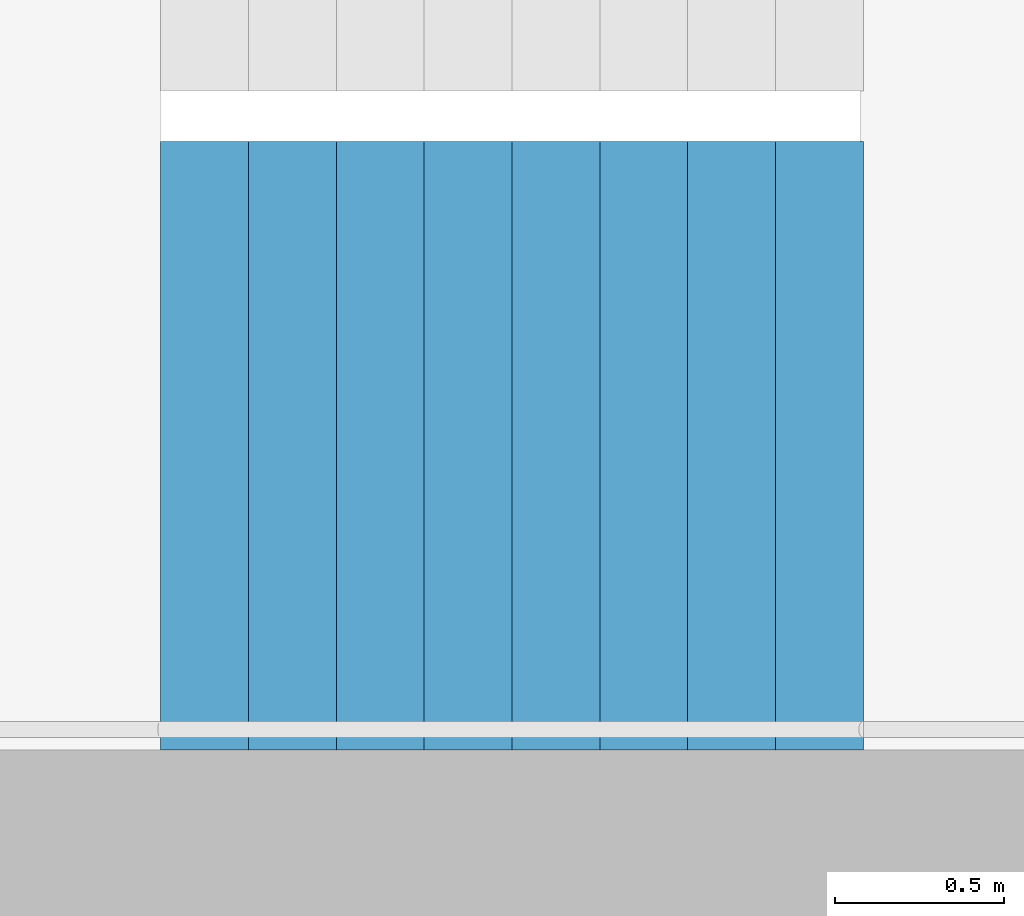
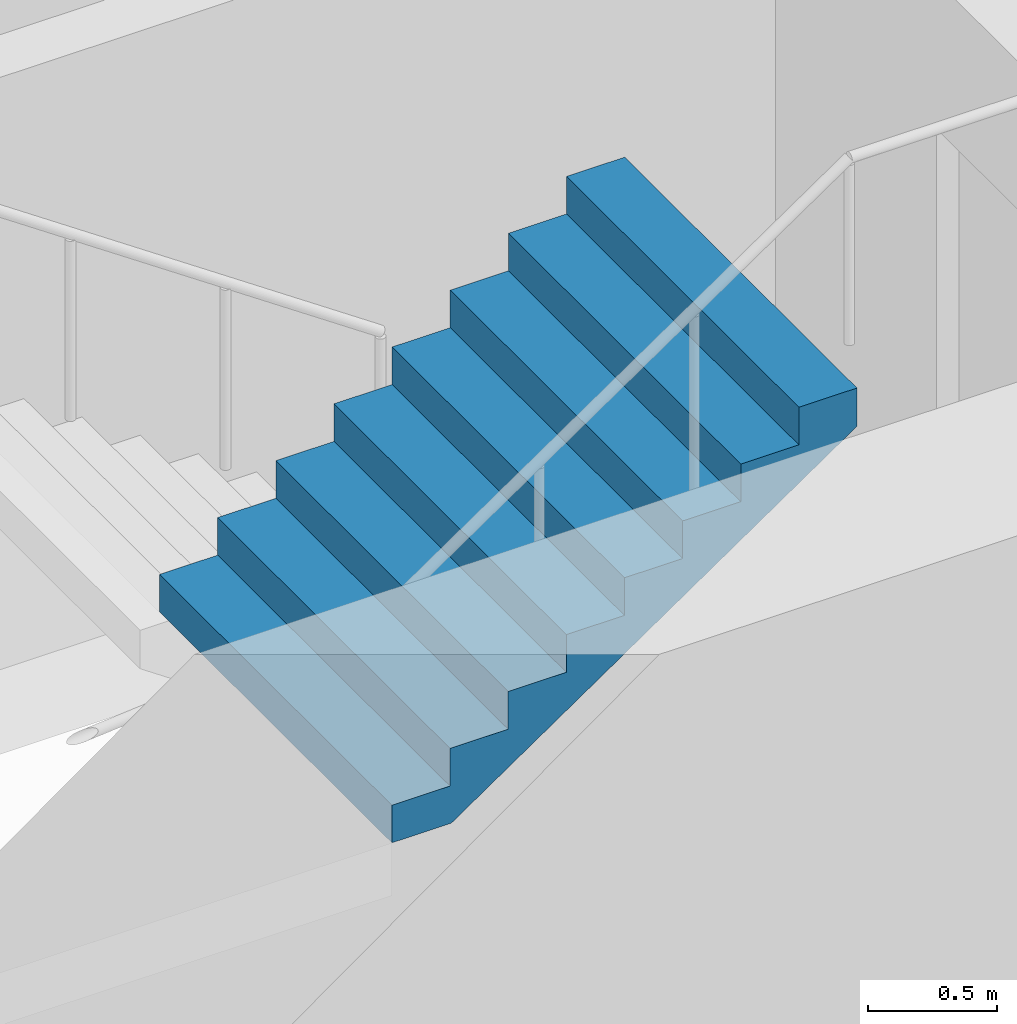
# One storey, part 20 of 34: 1 stair flight, 1 element without a shape of its own.
"""IFC4 building model written with IfcOpenShell, lengths in metres."""

from ifc_helpers import new_model, si_unit, direction, frame, origin, place, context, subcontext, project, spatial, triangles, material, type_object, element, aggregate, save


model = new_model("IFC4")

# Units and contexts
model_context = context("Model", 3, precision=1e-05, world=origin(), true_north=direction((0.0, 1.0)))
body_context = subcontext(model_context, "Body", "Model", "MODEL_VIEW")
ifc_project = project(units=[si_unit("LENGTHUNIT", "METRE"), si_unit("AREAUNIT", "SQUARE_METRE"), si_unit("VOLUMEUNIT", "CUBIC_METRE"), si_unit("PLANEANGLEUNIT", "RADIAN"), si_unit("MASSUNIT", "GRAM", prefix="KILO")], contexts=[model_context])

# Site, building, storey
site_placement = place(None, origin())
site = spatial("IfcSite", under=ifc_project, at=site_placement, CompositionType="ELEMENT")
building_placement = place(site_placement, origin())
building = spatial("IfcBuilding", under=site, at=building_placement, Name="Hakoniwa Tower and Hamabe Station Hall", CompositionType="ELEMENT")
storey_placement = place(building_placement, frame((0.0, 0.0, 94.60009765625)))
storey = spatial("IfcBuildingStorey", under=building, at=storey_placement, Name="L26", CompositionType="ELEMENT", Elevation=94.60009765625)

# Stair, stair flight
ifc_material_1 = material(Name="Concrete C40", Category="concrete")
stair_type = type_object("IfcStairType", Name="ESCAPE STAIR 1800", PredefinedType="HALF_TURN_STAIR", material=ifc_material_1)
stair_placement = place(storey_placement, origin())
stair = element("IfcStair", 1, at=stair_placement, inside=storey, type_object=stair_type, Name="Escape stair ST-2 L26", PredefinedType="HALF_TURN_STAIR")
ifc_material_2 = material(Name="Concrete C40", Category="concrete")
stair_flight_type = type_object("IfcStairFlightType", Name="STAIR FLIGHT 1800", PredefinedType="STRAIGHT", material=ifc_material_2)
stair_flight_placement = place(storey_placement, frame((-25.47998046875, -6.60009765625, 1.599853515625), z_axis=(0.0, 0.0, 1.0), x_axis=(1.0, 0.0, 0.0)))
stair_flight = element("IfcStairFlight", 2, at=stair_flight_placement, type_object=stair_flight_type, Name="ST-2 flight 2", NumberOfRisers=9, NumberOfTreads=8, PredefinedType="STRAIGHT", RiserHeight=0.177777778, TreadLength=0.26, context=body_context, shape_type="Tessellation", body=[
    triangles([(0.0, 0.89990234375, 0.0), (0.260009765625, 0.89990234375, 0.0), (0.265625, 0.89990234375, 0.0), (0.52001953125, 0.89990234375, 0.174072265625), (0.780029296875, 0.89990234375, 0.351806640625), (1.0400390625, 0.89990234375, 0.529541015625), (1.300048828125, 0.89990234375, 0.707275390625), (1.56005859375, 0.89990234375, 0.885009765625), (1.820068359375, 0.89990234375, 1.062744140625), (2.080078125, 0.89990234375, 1.24072265625), (2.080078125, 0.89990234375, 1.422119140625), (1.820068359375, 0.89990234375, 1.422119140625), (1.820068359375, 0.89990234375, 1.244384765625), (1.56005859375, 0.89990234375, 1.244384765625), (1.56005859375, 0.89990234375, 1.066650390625), (1.300048828125, 0.89990234375, 1.066650390625), (1.300048828125, 0.89990234375, 0.888916015625), (1.0400390625, 0.89990234375, 0.888916015625), (1.0400390625, 0.89990234375, 0.711181640625), (0.780029296875, 0.89990234375, 0.711181640625), (0.780029296875, 0.89990234375, 0.533447265625), (0.52001953125, 0.89990234375, 0.533447265625), (0.52001953125, 0.89990234375, 0.35546875), (0.265625, 0.89990234375, 0.35546875), (0.260009765625, 0.89990234375, 0.35546875), (0.260009765625, 0.89990234375, 0.177734375), (0.0, 0.89990234375, 0.177734375), (0.0, 0.06005859375, 0.0), (0.260009765625, 0.06005859375, 0.0), (0.265625, 0.06005859375, 0.0), (0.52001953125, 0.06005859375, 0.174072265625), (0.780029296875, 0.06005859375, 0.351806640625), (1.0400390625, 0.06005859375, 0.529541015625), (1.300048828125, 0.06005859375, 0.707275390625), (1.56005859375, 0.06005859375, 0.885009765625), (1.820068359375, 0.06005859375, 1.062744140625), (2.080078125, 0.06005859375, 1.24072265625), (2.080078125, 0.06005859375, 1.422119140625), (1.820068359375, 0.06005859375, 1.422119140625), (1.820068359375, 0.06005859375, 1.244384765625), (1.56005859375, 0.06005859375, 1.244384765625), (1.56005859375, 0.06005859375, 1.066650390625), (1.300048828125, 0.06005859375, 1.066650390625), (1.300048828125, 0.06005859375, 0.888916015625), (1.0400390625, 0.06005859375, 0.888916015625), (1.0400390625, 0.06005859375, 0.711181640625), (0.780029296875, 0.06005859375, 0.711181640625), (0.780029296875, 0.06005859375, 0.533447265625), (0.52001953125, 0.06005859375, 0.533447265625), (0.52001953125, 0.06005859375, 0.35546875), (0.265625, 0.06005859375, 0.35546875), (0.260009765625, 0.06005859375, 0.35546875), (0.260009765625, 0.06005859375, 0.177734375), (0.0, 0.06005859375, 0.177734375), (0.0, 0.04296875, 0.0), (0.260009765625, 0.04296875, 0.0), (0.265625, 0.04296875, 0.0), (0.52001953125, 0.04296875, 0.174072265625), (0.780029296875, 0.04296875, 0.351806640625), (1.0400390625, 0.04296875, 0.529541015625), (1.300048828125, 0.04296875, 0.707275390625), (1.56005859375, 0.04296875, 0.885009765625), (1.820068359375, 0.04296875, 1.062744140625), (2.080078125, 0.04296875, 1.24072265625), (2.080078125, 0.04296875, 1.422119140625), (1.820068359375, 0.04296875, 1.422119140625), (1.820068359375, 0.04296875, 1.244384765625), (1.56005859375, 0.04296875, 1.244384765625), (1.56005859375, 0.04296875, 1.066650390625), (1.300048828125, 0.04296875, 1.066650390625), (1.300048828125, 0.04296875, 0.888916015625), (1.0400390625, 0.04296875, 0.888916015625), (1.0400390625, 0.04296875, 0.711181640625), (0.780029296875, 0.04296875, 0.711181640625), (0.780029296875, 0.04296875, 0.533447265625), (0.52001953125, 0.04296875, 0.533447265625), (0.52001953125, 0.04296875, 0.35546875), (0.265625, 0.04296875, 0.35546875), (0.260009765625, 0.04296875, 0.35546875), (0.260009765625, 0.04296875, 0.177734375), (0.0, 0.04296875, 0.177734375), (0.0, 0.025634765625, 0.0), (0.260009765625, 0.025634765625, 0.0), (0.265625, 0.025634765625, 0.0), (0.52001953125, 0.025634765625, 0.174072265625), (0.780029296875, 0.025634765625, 0.351806640625), (1.0400390625, 0.025634765625, 0.529541015625), (1.300048828125, 0.025634765625, 0.707275390625), (1.56005859375, 0.025634765625, 0.885009765625), (1.820068359375, 0.025634765625, 1.062744140625), (2.080078125, 0.025634765625, 1.24072265625), (2.080078125, 0.025634765625, 1.422119140625), (1.820068359375, 0.025634765625, 1.422119140625), (1.820068359375, 0.025634765625, 1.244384765625), (1.56005859375, 0.025634765625, 1.244384765625), (1.56005859375, 0.025634765625, 1.066650390625), (1.300048828125, 0.025634765625, 1.066650390625), (1.300048828125, 0.025634765625, 0.888916015625), (1.0400390625, 0.025634765625, 0.888916015625), (1.0400390625, 0.025634765625, 0.711181640625), (0.780029296875, 0.025634765625, 0.711181640625), (0.780029296875, 0.025634765625, 0.533447265625), (0.52001953125, 0.025634765625, 0.533447265625), (0.52001953125, 0.025634765625, 0.35546875), (0.265625, 0.025634765625, 0.35546875), (0.260009765625, 0.025634765625, 0.35546875), (0.260009765625, 0.025634765625, 0.177734375), (0.0, 0.025634765625, 0.177734375), (0.0, 0.008544921875, 0.0), (0.260009765625, 0.008544921875, 0.0), (0.265625, 0.008544921875, 0.0), (0.52001953125, 0.008544921875, 0.174072265625), (0.780029296875, 0.008544921875, 0.351806640625), (1.0400390625, 0.008544921875, 0.529541015625), (1.300048828125, 0.008544921875, 0.707275390625), (1.56005859375, 0.008544921875, 0.885009765625), (1.820068359375, 0.008544921875, 1.062744140625), (2.080078125, 0.008544921875, 1.24072265625), (2.080078125, 0.008544921875, 1.422119140625), (1.820068359375, 0.008544921875, 1.422119140625), (1.820068359375, 0.008544921875, 1.244384765625), (1.56005859375, 0.008544921875, 1.244384765625), (1.56005859375, 0.008544921875, 1.066650390625), (1.300048828125, 0.008544921875, 1.066650390625), (1.300048828125, 0.008544921875, 0.888916015625), (1.0400390625, 0.008544921875, 0.888916015625), (1.0400390625, 0.008544921875, 0.711181640625), (0.780029296875, 0.008544921875, 0.711181640625), (0.780029296875, 0.008544921875, 0.533447265625), (0.52001953125, 0.008544921875, 0.533447265625), (0.52001953125, 0.008544921875, 0.35546875), (0.265625, 0.008544921875, 0.35546875), (0.260009765625, 0.008544921875, 0.35546875), (0.260009765625, 0.008544921875, 0.177734375), (0.0, 0.008544921875, 0.177734375), (0.0, -0.008544921875, 0.0), (0.260009765625, -0.008544921875, 0.0), (0.265625, -0.008544921875, 0.0), (0.52001953125, -0.008544921875, 0.174072265625), (0.780029296875, -0.008544921875, 0.351806640625), (1.0400390625, -0.008544921875, 0.529541015625), (1.300048828125, -0.008544921875, 0.707275390625), (1.56005859375, -0.008544921875, 0.885009765625), (1.820068359375, -0.008544921875, 1.062744140625), (2.080078125, -0.008544921875, 1.24072265625), (2.080078125, -0.008544921875, 1.422119140625), (1.820068359375, -0.008544921875, 1.422119140625), (1.820068359375, -0.008544921875, 1.244384765625), (1.56005859375, -0.008544921875, 1.244384765625), (1.56005859375, -0.008544921875, 1.066650390625), (1.300048828125, -0.008544921875, 1.066650390625), (1.300048828125, -0.008544921875, 0.888916015625), (1.0400390625, -0.008544921875, 0.888916015625), (1.0400390625, -0.008544921875, 0.711181640625), (0.780029296875, -0.008544921875, 0.711181640625), (0.780029296875, -0.008544921875, 0.533447265625), (0.52001953125, -0.008544921875, 0.533447265625), (0.52001953125, -0.008544921875, 0.35546875), (0.265625, -0.008544921875, 0.35546875), (0.260009765625, -0.008544921875, 0.35546875), (0.260009765625, -0.008544921875, 0.177734375), (0.0, -0.008544921875, 0.177734375), (0.0, -0.025634765625, 0.0), (0.260009765625, -0.025634765625, 0.0), (0.265625, -0.025634765625, 0.0), (0.52001953125, -0.025634765625, 0.174072265625), (0.780029296875, -0.025634765625, 0.351806640625), (1.0400390625, -0.025634765625, 0.529541015625), (1.300048828125, -0.025634765625, 0.707275390625), (1.56005859375, -0.025634765625, 0.885009765625), (1.820068359375, -0.025634765625, 1.062744140625), (2.080078125, -0.025634765625, 1.24072265625), (2.080078125, -0.025634765625, 1.422119140625), (1.820068359375, -0.025634765625, 1.422119140625), (1.820068359375, -0.025634765625, 1.244384765625), (1.56005859375, -0.025634765625, 1.244384765625), (1.56005859375, -0.025634765625, 1.066650390625), (1.300048828125, -0.025634765625, 1.066650390625), (1.300048828125, -0.025634765625, 0.888916015625), (1.0400390625, -0.025634765625, 0.888916015625), (1.0400390625, -0.025634765625, 0.711181640625), (0.780029296875, -0.025634765625, 0.711181640625), (0.780029296875, -0.025634765625, 0.533447265625), (0.52001953125, -0.025634765625, 0.533447265625), (0.52001953125, -0.025634765625, 0.35546875), (0.265625, -0.025634765625, 0.35546875), (0.260009765625, -0.025634765625, 0.35546875), (0.260009765625, -0.025634765625, 0.177734375), (0.0, -0.025634765625, 0.177734375), (0.0, -0.04296875, 0.0), (0.260009765625, -0.04296875, 0.0), (0.265625, -0.04296875, 0.0), (0.52001953125, -0.04296875, 0.174072265625), (0.780029296875, -0.04296875, 0.351806640625), (1.0400390625, -0.04296875, 0.529541015625), (1.300048828125, -0.04296875, 0.707275390625), (1.56005859375, -0.04296875, 0.885009765625), (1.820068359375, -0.04296875, 1.062744140625), (2.080078125, -0.04296875, 1.24072265625), (2.080078125, -0.04296875, 1.422119140625), (1.820068359375, -0.04296875, 1.422119140625), (1.820068359375, -0.04296875, 1.244384765625), (1.56005859375, -0.04296875, 1.244384765625), (1.56005859375, -0.04296875, 1.066650390625), (1.300048828125, -0.04296875, 1.066650390625), (1.300048828125, -0.04296875, 0.888916015625), (1.0400390625, -0.04296875, 0.888916015625), (1.0400390625, -0.04296875, 0.711181640625), (0.780029296875, -0.04296875, 0.711181640625), (0.780029296875, -0.04296875, 0.533447265625), (0.52001953125, -0.04296875, 0.533447265625), (0.52001953125, -0.04296875, 0.35546875), (0.265625, -0.04296875, 0.35546875), (0.260009765625, -0.04296875, 0.35546875), (0.260009765625, -0.04296875, 0.177734375), (0.0, -0.04296875, 0.177734375), (0.0, -0.06005859375, 0.0), (0.260009765625, -0.06005859375, 0.0), (0.265625, -0.06005859375, 0.0), (0.52001953125, -0.06005859375, 0.174072265625), (0.780029296875, -0.06005859375, 0.351806640625), (1.0400390625, -0.06005859375, 0.529541015625), (1.300048828125, -0.06005859375, 0.707275390625), (1.56005859375, -0.06005859375, 0.885009765625), (1.820068359375, -0.06005859375, 1.062744140625), (2.080078125, -0.06005859375, 1.24072265625), (2.080078125, -0.06005859375, 1.422119140625), (1.820068359375, -0.06005859375, 1.422119140625), (1.820068359375, -0.06005859375, 1.244384765625), (1.56005859375, -0.06005859375, 1.244384765625), (1.56005859375, -0.06005859375, 1.066650390625), (1.300048828125, -0.06005859375, 1.066650390625), (1.300048828125, -0.06005859375, 0.888916015625), (1.0400390625, -0.06005859375, 0.888916015625), (1.0400390625, -0.06005859375, 0.711181640625), (0.780029296875, -0.06005859375, 0.711181640625), (0.780029296875, -0.06005859375, 0.533447265625), (0.52001953125, -0.06005859375, 0.533447265625), (0.52001953125, -0.06005859375, 0.35546875), (0.265625, -0.06005859375, 0.35546875), (0.260009765625, -0.06005859375, 0.35546875), (0.260009765625, -0.06005859375, 0.177734375), (0.0, -0.06005859375, 0.177734375), (0.0, -0.89990234375, 0.0), (0.260009765625, -0.89990234375, 0.0), (0.265625, -0.89990234375, 0.0), (0.52001953125, -0.89990234375, 0.174072265625), (0.780029296875, -0.89990234375, 0.351806640625), (1.0400390625, -0.89990234375, 0.529541015625), (1.300048828125, -0.89990234375, 0.707275390625), (1.56005859375, -0.89990234375, 0.885009765625), (1.820068359375, -0.89990234375, 1.062744140625), (2.080078125, -0.89990234375, 1.24072265625), (2.080078125, -0.89990234375, 1.422119140625), (1.820068359375, -0.89990234375, 1.422119140625), (1.820068359375, -0.89990234375, 1.244384765625), (1.56005859375, -0.89990234375, 1.244384765625), (1.56005859375, -0.89990234375, 1.066650390625), (1.300048828125, -0.89990234375, 1.066650390625), (1.300048828125, -0.89990234375, 0.888916015625), (1.0400390625, -0.89990234375, 0.888916015625), (1.0400390625, -0.89990234375, 0.711181640625), (0.780029296875, -0.89990234375, 0.711181640625), (0.780029296875, -0.89990234375, 0.533447265625), (0.52001953125, -0.89990234375, 0.533447265625), (0.52001953125, -0.89990234375, 0.35546875), (0.265625, -0.89990234375, 0.35546875), (0.260009765625, -0.89990234375, 0.35546875), (0.260009765625, -0.89990234375, 0.177734375), (0.0, -0.89990234375, 0.177734375)], [[2, 27, 26], [245, 269, 270], [2, 1, 27], [245, 270, 244], [3, 25, 24], [246, 267, 268], [3, 26, 25], [246, 268, 269], [3, 2, 26], [246, 269, 245], [4, 24, 23], [247, 266, 267], [4, 3, 24], [247, 267, 246], [5, 22, 21], [248, 264, 265], [5, 23, 22], [248, 265, 266], [5, 4, 23], [248, 266, 247], [6, 20, 19], [249, 262, 263], [6, 21, 20], [249, 263, 264], [6, 5, 21], [249, 264, 248], [7, 18, 17], [250, 260, 261], [7, 19, 18], [250, 261, 262], [7, 6, 19], [250, 262, 249], [8, 16, 15], [251, 258, 259], [8, 17, 16], [251, 259, 260], [8, 7, 17], [251, 260, 250], [9, 14, 13], [252, 256, 257], [9, 15, 14], [252, 257, 258], [9, 8, 15], [252, 258, 251], [10, 12, 11], [253, 254, 255], [10, 13, 12], [253, 255, 256], [10, 9, 13], [253, 256, 252], [1, 2, 29], [1, 29, 28], [28, 29, 56], [28, 56, 55], [55, 56, 83], [55, 83, 82], [82, 83, 110], [82, 110, 109], [109, 110, 137], [109, 137, 136], [136, 137, 164], [136, 164, 163], [163, 164, 191], [163, 191, 190], [190, 191, 218], [190, 218, 217], [217, 218, 245], [217, 245, 244], [2, 3, 30], [2, 30, 29], [29, 30, 57], [29, 57, 56], [56, 57, 84], [56, 84, 83], [83, 84, 111], [83, 111, 110], [110, 111, 138], [110, 138, 137], [137, 138, 165], [137, 165, 164], [164, 165, 192], [164, 192, 191], [191, 192, 219], [191, 219, 218], [218, 219, 246], [218, 246, 245], [3, 4, 31], [3, 31, 30], [30, 31, 58], [30, 58, 57], [57, 58, 85], [57, 85, 84], [84, 85, 112], [84, 112, 111], [111, 112, 139], [111, 139, 138], [138, 139, 166], [138, 166, 165], [165, 166, 193], [165, 193, 192], [192, 193, 220], [192, 220, 219], [219, 220, 247], [219, 247, 246], [4, 5, 32], [4, 32, 31], [31, 32, 59], [31, 59, 58], [58, 59, 86], [58, 86, 85], [85, 86, 113], [85, 113, 112], [112, 113, 140], [112, 140, 139], [139, 140, 167], [139, 167, 166], [166, 167, 194], [166, 194, 193], [193, 194, 221], [193, 221, 220], [220, 221, 248], [220, 248, 247], [5, 6, 33], [5, 33, 32], [32, 33, 60], [32, 60, 59], [59, 60, 87], [59, 87, 86], [86, 87, 114], [86, 114, 113], [113, 114, 141], [113, 141, 140], [140, 141, 168], [140, 168, 167], [167, 168, 195], [167, 195, 194], [194, 195, 222], [194, 222, 221], [221, 222, 249], [221, 249, 248], [6, 7, 34], [6, 34, 33], [33, 34, 61], [33, 61, 60], [60, 61, 88], [60, 88, 87], [87, 88, 115], [87, 115, 114], [114, 115, 142], [114, 142, 141], [141, 142, 169], [141, 169, 168], [168, 169, 196], [168, 196, 195], [195, 196, 223], [195, 223, 222], [222, 223, 250], [222, 250, 249], [7, 8, 35], [7, 35, 34], [34, 35, 62], [34, 62, 61], [61, 62, 89], [61, 89, 88], [88, 89, 116], [88, 116, 115], [115, 116, 143], [115, 143, 142], [142, 143, 170], [142, 170, 169], [169, 170, 197], [169, 197, 196], [196, 197, 224], [196, 224, 223], [223, 224, 251], [223, 251, 250], [8, 9, 36], [8, 36, 35], [35, 36, 63], [35, 63, 62], [62, 63, 90], [62, 90, 89], [89, 90, 117], [89, 117, 116], [116, 117, 144], [116, 144, 143], [143, 144, 171], [143, 171, 170], [170, 171, 198], [170, 198, 197], [197, 198, 225], [197, 225, 224], [224, 225, 252], [224, 252, 251], [9, 10, 37], [9, 37, 36], [36, 37, 64], [36, 64, 63], [63, 64, 91], [63, 91, 90], [90, 91, 118], [90, 118, 117], [117, 118, 145], [117, 145, 144], [144, 145, 172], [144, 172, 171], [171, 172, 199], [171, 199, 198], [198, 199, 226], [198, 226, 225], [225, 226, 253], [225, 253, 252], [10, 11, 38], [10, 38, 37], [37, 38, 65], [37, 65, 64], [64, 65, 92], [64, 92, 91], [91, 92, 119], [91, 119, 118], [118, 119, 146], [118, 146, 145], [145, 146, 173], [145, 173, 172], [172, 173, 200], [172, 200, 199], [199, 200, 227], [199, 227, 226], [226, 227, 254], [226, 254, 253], [11, 12, 39], [11, 39, 38], [38, 39, 66], [38, 66, 65], [65, 66, 93], [65, 93, 92], [92, 93, 120], [92, 120, 119], [119, 120, 147], [119, 147, 146], [146, 147, 174], [146, 174, 173], [173, 174, 201], [173, 201, 200], [200, 201, 228], [200, 228, 227], [227, 228, 255], [227, 255, 254], [12, 13, 40], [12, 40, 39], [39, 40, 67], [39, 67, 66], [66, 67, 94], [66, 94, 93], [93, 94, 121], [93, 121, 120], [120, 121, 148], [120, 148, 147], [147, 148, 175], [147, 175, 174], [174, 175, 202], [174, 202, 201], [201, 202, 229], [201, 229, 228], [228, 229, 256], [228, 256, 255], [13, 14, 41], [13, 41, 40], [40, 41, 68], [40, 68, 67], [67, 68, 95], [67, 95, 94], [94, 95, 122], [94, 122, 121], [121, 122, 149], [121, 149, 148], [148, 149, 176], [148, 176, 175], [175, 176, 203], [175, 203, 202], [202, 203, 230], [202, 230, 229], [229, 230, 257], [229, 257, 256], [14, 15, 42], [14, 42, 41], [41, 42, 69], [41, 69, 68], [68, 69, 96], [68, 96, 95], [95, 96, 123], [95, 123, 122], [122, 123, 150], [122, 150, 149], [149, 150, 177], [149, 177, 176], [176, 177, 204], [176, 204, 203], [203, 204, 231], [203, 231, 230], [230, 231, 258], [230, 258, 257], [15, 16, 43], [15, 43, 42], [42, 43, 70], [42, 70, 69], [69, 70, 97], [69, 97, 96], [96, 97, 124], [96, 124, 123], [123, 124, 151], [123, 151, 150], [150, 151, 178], [150, 178, 177], [177, 178, 205], [177, 205, 204], [204, 205, 232], [204, 232, 231], [231, 232, 259], [231, 259, 258], [16, 17, 44], [16, 44, 43], [43, 44, 71], [43, 71, 70], [70, 71, 98], [70, 98, 97], [97, 98, 125], [97, 125, 124], [124, 125, 152], [124, 152, 151], [151, 152, 179], [151, 179, 178], [178, 179, 206], [178, 206, 205], [205, 206, 233], [205, 233, 232], [232, 233, 260], [232, 260, 259], [17, 18, 45], [17, 45, 44], [44, 45, 72], [44, 72, 71], [71, 72, 99], [71, 99, 98], [98, 99, 126], [98, 126, 125], [125, 126, 153], [125, 153, 152], [152, 153, 180], [152, 180, 179], [179, 180, 207], [179, 207, 206], [206, 207, 234], [206, 234, 233], [233, 234, 261], [233, 261, 260], [18, 19, 46], [18, 46, 45], [45, 46, 73], [45, 73, 72], [72, 73, 100], [72, 100, 99], [99, 100, 127], [99, 127, 126], [126, 127, 154], [126, 154, 153], [153, 154, 181], [153, 181, 180], [180, 181, 208], [180, 208, 207], [207, 208, 235], [207, 235, 234], [234, 235, 262], [234, 262, 261], [19, 20, 47], [19, 47, 46], [46, 47, 74], [46, 74, 73], [73, 74, 101], [73, 101, 100], [100, 101, 128], [100, 128, 127], [127, 128, 155], [127, 155, 154], [154, 155, 182], [154, 182, 181], [181, 182, 209], [181, 209, 208], [208, 209, 236], [208, 236, 235], [235, 236, 263], [235, 263, 262], [20, 21, 48], [20, 48, 47], [47, 48, 75], [47, 75, 74], [74, 75, 102], [74, 102, 101], [101, 102, 129], [101, 129, 128], [128, 129, 156], [128, 156, 155], [155, 156, 183], [155, 183, 182], [182, 183, 210], [182, 210, 209], [209, 210, 237], [209, 237, 236], [236, 237, 264], [236, 264, 263], [21, 22, 49], [21, 49, 48], [48, 49, 76], [48, 76, 75], [75, 76, 103], [75, 103, 102], [102, 103, 130], [102, 130, 129], [129, 130, 157], [129, 157, 156], [156, 157, 184], [156, 184, 183], [183, 184, 211], [183, 211, 210], [210, 211, 238], [210, 238, 237], [237, 238, 265], [237, 265, 264], [22, 23, 50], [22, 50, 49], [49, 50, 77], [49, 77, 76], [76, 77, 104], [76, 104, 103], [103, 104, 131], [103, 131, 130], [130, 131, 158], [130, 158, 157], [157, 158, 185], [157, 185, 184], [184, 185, 212], [184, 212, 211], [211, 212, 239], [211, 239, 238], [238, 239, 266], [238, 266, 265], [23, 24, 51], [23, 51, 50], [50, 51, 78], [50, 78, 77], [77, 78, 105], [77, 105, 104], [104, 105, 132], [104, 132, 131], [131, 132, 159], [131, 159, 158], [158, 159, 186], [158, 186, 185], [185, 186, 213], [185, 213, 212], [212, 213, 240], [212, 240, 239], [239, 240, 267], [239, 267, 266], [24, 25, 52], [24, 52, 51], [51, 52, 79], [51, 79, 78], [78, 79, 106], [78, 106, 105], [105, 106, 133], [105, 133, 132], [132, 133, 160], [132, 160, 159], [159, 160, 187], [159, 187, 186], [186, 187, 214], [186, 214, 213], [213, 214, 241], [213, 241, 240], [240, 241, 268], [240, 268, 267], [25, 26, 53], [25, 53, 52], [52, 53, 80], [52, 80, 79], [79, 80, 107], [79, 107, 106], [106, 107, 134], [106, 134, 133], [133, 134, 161], [133, 161, 160], [160, 161, 188], [160, 188, 187], [187, 188, 215], [187, 215, 214], [214, 215, 242], [214, 242, 241], [241, 242, 269], [241, 269, 268], [26, 27, 54], [26, 54, 53], [53, 54, 81], [53, 81, 80], [80, 81, 108], [80, 108, 107], [107, 108, 135], [107, 135, 134], [134, 135, 162], [134, 162, 161], [161, 162, 189], [161, 189, 188], [188, 189, 216], [188, 216, 215], [215, 216, 243], [215, 243, 242], [242, 243, 270], [242, 270, 269], [27, 1, 28], [27, 28, 54], [54, 28, 55], [54, 55, 81], [81, 55, 82], [81, 82, 108], [108, 82, 109], [108, 109, 135], [135, 109, 136], [135, 136, 162], [162, 136, 163], [162, 163, 189], [189, 163, 190], [189, 190, 216], [216, 190, 217], [216, 217, 243], [243, 217, 244], [243, 244, 270]], closed=True),
])
aggregate(stair, [stair_flight])

save(model, "model.ifc")
